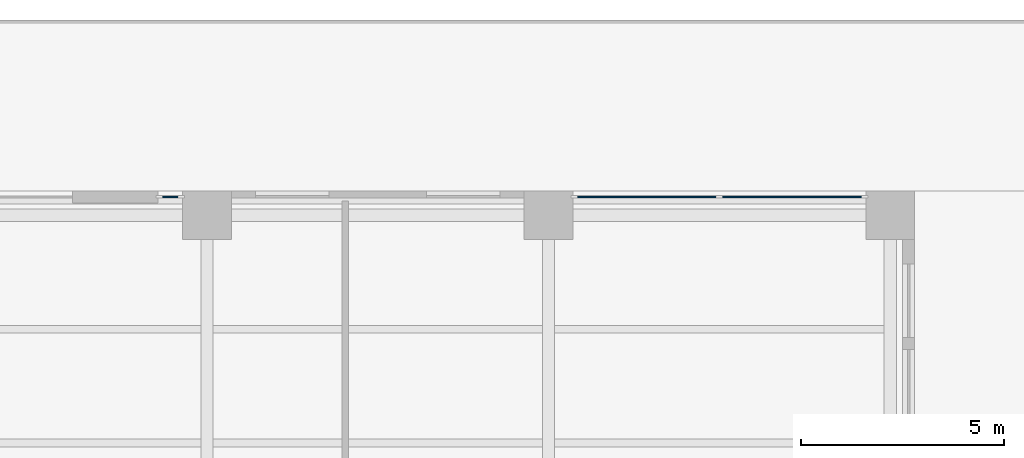
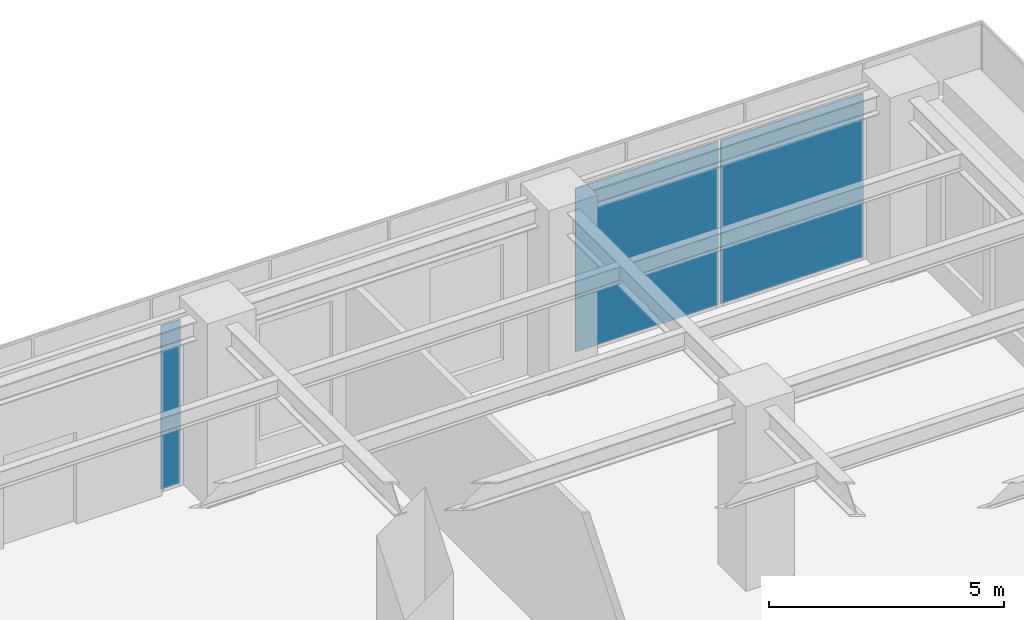
# One storey, part 34 of 53: 3 plates, 2 elements without a shape of their own.
"""IFC4 building model written with IfcOpenShell, lengths in metres."""

from ifc_helpers import new_model, si_unit, direction, frame, origin, origin_2d, place, context, subcontext, project, spatial, rectangle, extrude, material, layer, layer_set, type_object, element, aggregate, save


model = new_model("IFC4")

# Units and contexts
model_context = context("Model", 3, precision=1e-05, world=origin(), true_north=direction((0.0, 1.0)))
body_context = subcontext(model_context, "Body", "Model", "MODEL_VIEW")
ifc_project = project(units=[si_unit("LENGTHUNIT", "METRE"), si_unit("AREAUNIT", "SQUARE_METRE"), si_unit("VOLUMEUNIT", "CUBIC_METRE"), si_unit("PLANEANGLEUNIT", "RADIAN"), si_unit("MASSUNIT", "GRAM", prefix="KILO")], contexts=[model_context])

# Site, building, storey
site_placement = place(None, origin())
site = spatial("IfcSite", under=ifc_project, at=site_placement, CompositionType="ELEMENT")
building_placement = place(site_placement, origin())
building = spatial("IfcBuilding", under=site, at=building_placement, Name="Khepri Terraces", CompositionType="ELEMENT")
storey_placement = place(building_placement, frame((0.0, 0.0, 7.199951171875)))
storey = spatial("IfcBuildingStorey", under=building, at=storey_placement, Name="L01", CompositionType="ELEMENT", Elevation=7.199951171875)

# Curtain wall, plates
ifc_material_1 = material(Name="Anodised aluminium bronze curtain wall", Category="aluminium")
curtain_wall_type = type_object("IfcCurtainWallType", Name="CW-SYS2-PODIUM", PredefinedType="NOTDEFINED", material=ifc_material_1)
curtain_wall_1_placement = place(storey_placement, origin())
curtain_wall_1 = element("IfcCurtainWall", 1, at=curtain_wall_1_placement, inside=storey, type_object=curtain_wall_type, Name="Curtain wall CW2 L01 N", PredefinedType="NOTDEFINED")
ifc_material_2 = material(Name="Clear glass", Category="glass")
ifc_layer = layer(ifc_material_2, 0.028076171875, Name="Clear glass", Category="glass")
ifc_layer_set = layer_set([ifc_layer], Name="Clear glass")
plate_type = type_object("IfcPlateType", Name="CW-PANEL-VISION-28", PredefinedType="CURTAIN_PANEL", material=ifc_layer_set)
plate_1_placement = place(storey_placement, frame((39.5849609375, 42.449951171875, 0.06005859375), z_axis=(0.0, 0.0, 1.0), x_axis=(-1.0, 0.0, 0.0)))
plate_1 = element("IfcPlate", 2, at=plate_1_placement, type_object=plate_type, Name="CW2 panel 1.1", PredefinedType="CURTAIN_PANEL", context=body_context, shape_type="SweptSolid", body=[
    extrude(rectangle(XDim=3.510009765625, YDim=0.028076171875, at=origin_2d()), origin(), (0.0, 0.0, 1.0), 4.260009765625),
])
plate_2_placement = place(storey_placement, frame((36.014892578125, 42.449951171875, 0.06005859375), z_axis=(0.0, 0.0, 1.0), x_axis=(-1.0, 0.0, 0.0)))
plate_2 = element("IfcPlate", 3, at=plate_2_placement, type_object=plate_type, Name="CW2 panel 2.1", PredefinedType="CURTAIN_PANEL", context=body_context, shape_type="SweptSolid", body=[
    extrude(rectangle(XDim=3.510009765625, YDim=0.028076171875, at=origin_2d()), origin(), (0.0, 0.0, 1.0), 4.260009765625),
])
aggregate(curtain_wall_1, [plate_1, plate_2])

# Curtain wall, plate
curtain_wall_2_placement = place(storey_placement, origin())
curtain_wall_2 = element("IfcCurtainWall", 4, at=curtain_wall_2_placement, inside=storey, type_object=curtain_wall_type, Name="Curtain wall CW2 L01 N", PredefinedType="NOTDEFINED")
plate_3_placement = place(storey_placement, frame((24.300048828125, 42.449951171875, 0.06005859375), z_axis=(0.0, 0.0, 1.0), x_axis=(-1.0, 0.0, 0.0)))
plate_3 = element("IfcPlate", 5, at=plate_3_placement, type_object=plate_type, Name="CW2 panel 1.1", PredefinedType="CURTAIN_PANEL", context=body_context, shape_type="SweptSolid", body=[
    extrude(rectangle(XDim=0.47998046875, YDim=0.028076171875, at=origin_2d()), origin(), (0.0, 0.0, 1.0), 4.260009765625),
])
aggregate(curtain_wall_2, [plate_3])

save(model, "model.ifc")
